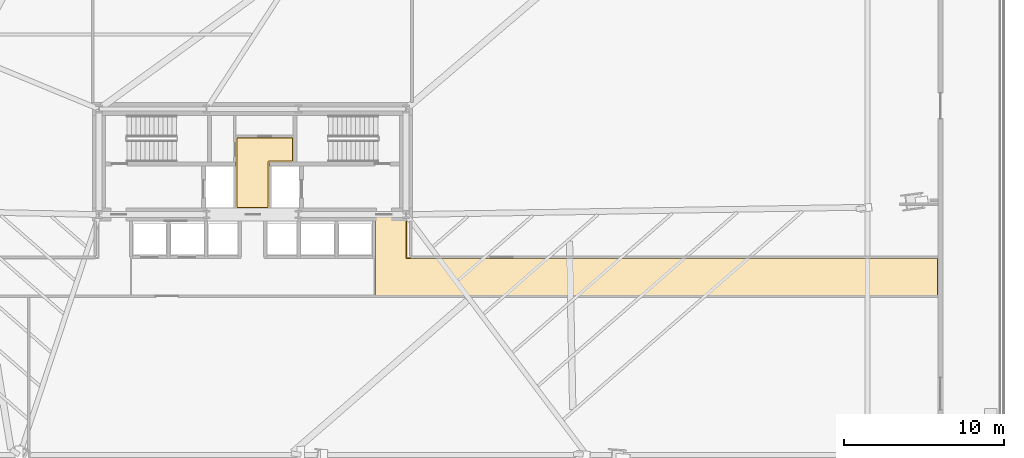
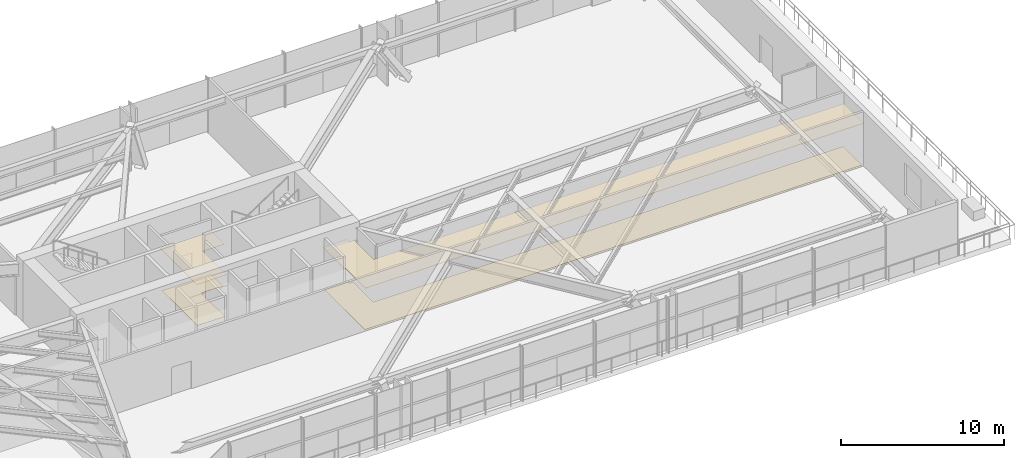
# One storey, part 31 of 36: 4 coverings.
"""IFC4 building model written with IfcOpenShell, lengths in metres."""

from ifc_helpers import new_model, si_unit, direction, frame, origin, place, context, subcontext, project, spatial, polyline, outline, extrude, material, layer, layer_set, type_object, element, save


model = new_model("IFC4")

# Units and contexts
model_context = context("Model", 3, precision=1e-05, world=origin(), true_north=direction((0.0, 1.0)))
body_context = subcontext(model_context, "Body", "Model", "MODEL_VIEW")
ifc_project = project(units=[si_unit("LENGTHUNIT", "METRE"), si_unit("AREAUNIT", "SQUARE_METRE"), si_unit("VOLUMEUNIT", "CUBIC_METRE"), si_unit("PLANEANGLEUNIT", "RADIAN"), si_unit("MASSUNIT", "GRAM", prefix="KILO")], contexts=[model_context])

# Site, building, storey
site_placement = place(None, origin())
site = spatial("IfcSite", under=ifc_project, at=site_placement, CompositionType="ELEMENT")
building_placement = place(site_placement, origin())
building = spatial("IfcBuilding", under=site, at=building_placement, Name="Astriad Promenade Condominiums", CompositionType="ELEMENT")
storey_placement = place(building_placement, frame((0.0, 0.0, 5.0)))
storey = spatial("IfcBuildingStorey", under=building, at=storey_placement, Name="L01", CompositionType="ELEMENT", Elevation=5.0)

# Coverings
ifc_material_1 = material(Name="Mineral-Fibre Acoustic Ceiling Tile")
ifc_layer_1 = layer(ifc_material_1, 0.02490234375)
ifc_layer_set_1 = layer_set([ifc_layer_1], Name="Mineral-Fibre Acoustic Ceiling Tile")
covering_type_1 = type_object("IfcCoveringType", Name="COV-CEIL-ACOUSTIC-25", PredefinedType="CEILING", material=ifc_layer_set_1)
covering_1_placement = place(storey_placement, frame((0.0, 0.0, 3.135009765625)))
element("IfcCovering", 1, at=covering_1_placement, inside=storey, type_object=covering_type_1, Name="CEIL-L01-CSL", PredefinedType="CEILING", context=body_context, shape_type="SweptSolid", body=[
    extrude(outline(polyline([(37.050048828125, 17.800048828125), (37.0498046875, 17.797119140625), (37.04931640625, 17.794189453125), (37.048583984375, 17.791259765625), (37.047607421875, 17.78857421875), (37.04638671875, 17.785888671875), (37.044921875, 17.783203125), (37.043212890625, 17.781005859375), (37.041259765625, 17.77880859375), (37.0390625, 17.77685546875), (37.03662109375, 17.775146484375), (37.0341796875, 17.7734375), (37.031494140625, 17.772216796875), (37.02880859375, 17.771240234375), (37.02587890625, 17.7705078125), (37.02294921875, 17.77001953125), (37.02001953125, 17.77001953125), (34.97998046875, 17.77001953125), (34.97705078125, 17.77001953125), (34.97412109375, 17.7705078125), (34.97119140625, 17.771240234375), (34.968505859375, 17.772216796875), (34.9658203125, 17.7734375), (34.96337890625, 17.775146484375), (34.9609375, 17.77685546875), (34.958740234375, 17.77880859375), (34.956787109375, 17.781005859375), (34.955078125, 17.783203125), (34.95361328125, 17.785888671875), (34.952392578125, 17.78857421875), (34.951416015625, 17.791259765625), (34.95068359375, 17.794189453125), (34.9501953125, 17.797119140625), (34.949951171875, 17.800048828125), (34.949951171875, 22.219970703125), (34.9501953125, 22.222900390625), (34.95068359375, 22.225830078125), (34.951416015625, 22.228759765625), (34.952392578125, 22.2314453125), (34.95361328125, 22.234130859375), (34.955078125, 22.23681640625), (34.956787109375, 22.239013671875), (34.958740234375, 22.2412109375), (34.9609375, 22.2431640625), (34.96337890625, 22.244873046875), (34.9658203125, 22.24658203125), (34.968505859375, 22.247802734375), (34.97119140625, 22.248779296875), (34.97412109375, 22.24951171875), (34.97705078125, 22.25), (34.97998046875, 22.25), (38.5400390625, 22.25), (38.54296875, 22.25), (38.5458984375, 22.24951171875), (38.548583984375, 22.248779296875), (38.551513671875, 22.247802734375), (38.55419921875, 22.24658203125), (38.556640625, 22.244873046875), (38.55908203125, 22.2431640625), (38.561279296875, 22.2412109375), (38.563232421875, 22.239013671875), (38.56494140625, 22.23681640625), (38.56640625, 22.234130859375), (38.567626953125, 22.2314453125), (38.568603515625, 22.228759765625), (38.5693359375, 22.225830078125), (38.56982421875, 22.222900390625), (38.570068359375, 22.219970703125), (38.570068359375, 20.699951171875), (38.56982421875, 20.697021484375), (38.5693359375, 20.694091796875), (38.568603515625, 20.69140625), (38.567626953125, 20.6884765625), (38.56640625, 20.685791015625), (38.56494140625, 20.683349609375), (38.563232421875, 20.680908203125), (38.561279296875, 20.6787109375), (38.55908203125, 20.6767578125), (38.556640625, 20.675048828125), (38.55419921875, 20.673583984375), (38.551513671875, 20.67236328125), (38.548583984375, 20.67138671875), (38.5458984375, 20.670654296875), (38.54296875, 20.670166015625), (38.5400390625, 20.669921875), (37.050048828125, 20.669921875), (37.050048828125, 17.800048828125)])), origin(), (0.0, 0.0, 1.0), 0.02490234375),
])
covering_2_placement = place(storey_placement, frame((0.0, 0.0, 3.135009765625)))
element("IfcCovering", 2, at=covering_2_placement, inside=storey, type_object=covering_type_1, Name="CEIL-L01-COR-1", PredefinedType="CEILING", context=body_context, shape_type="SweptSolid", body=[
    extrude(outline(polyline([(43.6201171875, 17.35009765625), (43.6201171875, 17.352783203125), (43.62060546875, 17.35595703125), (43.621337890625, 17.358642578125), (43.622314453125, 17.361572265625), (43.62353515625, 17.364013671875), (43.625, 17.36669921875), (43.626708984375, 17.368896484375), (43.62890625, 17.37109375), (43.631103515625, 17.373291015625), (43.63330078125, 17.375), (43.635986328125, 17.37646484375), (43.638427734375, 17.377685546875), (43.641357421875, 17.378662109375), (43.64404296875, 17.37939453125), (43.647216796875, 17.3798828125), (43.64990234375, 17.3798828125), (45.31640625, 17.3798828125), (45.31640625, 17.077880859375), (45.679931640625, 17.077880859375), (45.679931640625, 14.7099609375), (78.89990234375, 14.7099609375), (78.90283203125, 14.7099609375), (78.906005859375, 14.70947265625), (78.90869140625, 14.708740234375), (78.91162109375, 14.707763671875), (78.9140625, 14.70654296875), (78.916748046875, 14.704833984375), (78.9189453125, 14.703125), (78.921142578125, 14.701171875), (78.923095703125, 14.698974609375), (78.9248046875, 14.69677734375), (78.926513671875, 14.694091796875), (78.927734375, 14.69140625), (78.9287109375, 14.688720703125), (78.929443359375, 14.685791015625), (78.929931640625, 14.682861328125), (78.929931640625, 14.679931640625), (78.929931640625, 12.300048828125), (78.929931640625, 12.297119140625), (78.929443359375, 12.294189453125), (78.9287109375, 12.291259765625), (78.927734375, 12.28857421875), (78.926513671875, 12.285888671875), (78.9248046875, 12.283203125), (78.923095703125, 12.281005859375), (78.921142578125, 12.27880859375), (78.9189453125, 12.27685546875), (78.916748046875, 12.275146484375), (78.9140625, 12.2734375), (78.91162109375, 12.272216796875), (78.90869140625, 12.271240234375), (78.906005859375, 12.2705078125), (78.90283203125, 12.27001953125), (78.89990234375, 12.27001953125), (43.68994140625, 12.27001953125), (43.69091796875, 12.271484375), (43.692138671875, 12.273193359375), (43.693603515625, 12.275634765625), (43.694580078125, 12.27734375), (43.69580078125, 12.280029296875), (43.696533203125, 12.28173828125), (43.697509765625, 12.28466796875), (43.697998046875, 12.286376953125), (43.69873046875, 12.289306640625), (43.69921875, 12.291259765625), (43.69970703125, 12.294189453125), (43.69970703125, 12.296142578125), (43.699951171875, 12.299072265625), (43.699951171875, 12.300048828125), (43.699951171875, 14.699951171875), (43.699951171875, 14.700927734375), (43.69970703125, 14.703857421875), (43.69970703125, 14.705810546875), (43.69921875, 14.708740234375), (43.69873046875, 14.710693359375), (43.697998046875, 14.713623046875), (43.697509765625, 14.71533203125), (43.696533203125, 14.71826171875), (43.69580078125, 14.719970703125), (43.694580078125, 14.72265625), (43.693603515625, 14.724365234375), (43.692138671875, 14.726806640625), (43.69091796875, 14.728515625), (43.689208984375, 14.73095703125), (43.68798828125, 14.732421875), (43.68603515625, 14.734619140625), (43.6845703125, 14.736083984375), (43.6826171875, 14.738037109375), (43.680908203125, 14.7392578125), (43.6787109375, 14.740966796875), (43.677001953125, 14.7421875), (43.67431640625, 14.74365234375), (43.672607421875, 14.744384765625), (43.669921875, 14.745849609375), (43.668212890625, 14.74658203125), (43.665283203125, 14.74755859375), (43.66357421875, 14.748046875), (43.66064453125, 14.748779296875), (43.65869140625, 14.749267578125), (43.656005859375, 14.74951171875), (43.65380859375, 14.749755859375), (43.65087890625, 14.75), (43.64990234375, 14.75), (43.6201171875, 14.75), (43.6201171875, 17.35009765625)])), origin(), (0.0, 0.0, 1.0), 0.02490234375),
])
ifc_material_2 = material(Name="Polished Lakefront Terrazzo Flooring")
ifc_layer_2 = layer(ifc_material_2, 0.02001953125)
ifc_layer_set_2 = layer_set([ifc_layer_2], Name="Polished Lakefront Terrazzo Flooring")
covering_type_2 = type_object("IfcCoveringType", Name="COV-FLOR-TERRAZZO-20", PredefinedType="FLOORING", material=ifc_layer_set_2)
covering_3_placement = place(storey_placement, origin())
element("IfcCovering", 3, at=covering_3_placement, inside=storey, type_object=covering_type_2, Name="FLR-L01-CSL", PredefinedType="FLOORING", context=body_context, shape_type="SweptSolid", body=[
    extrude(outline(polyline([(36.97998046875, 20.699951171875), (36.97998046875, 17.840087890625), (35.02001953125, 17.840087890625), (35.02001953125, 22.179931640625), (38.5, 22.179931640625), (38.5, 20.739990234375), (37.02001953125, 20.739990234375), (37.01611328125, 20.73974609375), (37.01220703125, 20.7392578125), (37.00830078125, 20.73828125), (37.004638671875, 20.737060546875), (37.001220703125, 20.7353515625), (36.997802734375, 20.7333984375), (36.99462890625, 20.73095703125), (36.99169921875, 20.728271484375), (36.989013671875, 20.725341796875), (36.98681640625, 20.72216796875), (36.984619140625, 20.718994140625), (36.98291015625, 20.71533203125), (36.981689453125, 20.711669921875), (36.980712890625, 20.707763671875), (36.980224609375, 20.703857421875), (36.97998046875, 20.699951171875)])), origin(), (0.0, 0.0, 1.0), 0.02001953125),
])
covering_4_placement = place(storey_placement, origin())
element("IfcCovering", 4, at=covering_4_placement, inside=storey, type_object=covering_type_2, Name="FLR-L01-COR-1", PredefinedType="FLOORING", context=body_context, shape_type="SweptSolid", body=[
    extrude(outline(polyline([(43.68994140625, 12.340087890625), (43.68994140625, 17.31005859375), (45.3564453125, 17.31005859375), (45.3564453125, 17.117919921875), (45.610107421875, 17.117919921875), (45.610107421875, 14.679931640625), (45.610107421875, 14.676025390625), (45.61083984375, 14.672119140625), (45.61181640625, 14.66845703125), (45.613037109375, 14.664794921875), (45.61474609375, 14.6611328125), (45.61669921875, 14.65771484375), (45.619140625, 14.654541015625), (45.62158203125, 14.651611328125), (45.62451171875, 14.649169921875), (45.627685546875, 14.646728515625), (45.631103515625, 14.644775390625), (45.634765625, 14.64306640625), (45.638427734375, 14.6416015625), (45.64208984375, 14.640869140625), (45.64599609375, 14.64013671875), (45.64990234375, 14.639892578125), (78.860107421875, 14.639892578125), (78.860107421875, 12.340087890625), (43.68994140625, 12.340087890625)])), origin(), (0.0, 0.0, 1.0), 0.02001953125),
])

save(model, "model.ifc")
